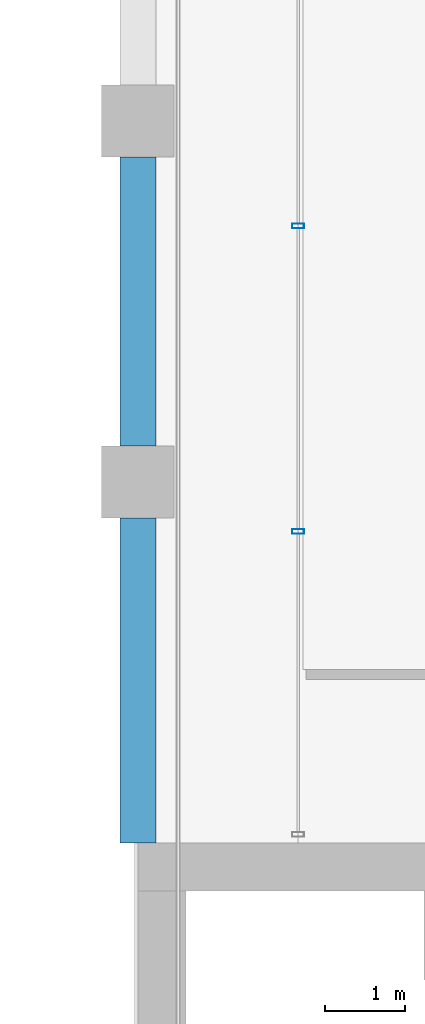
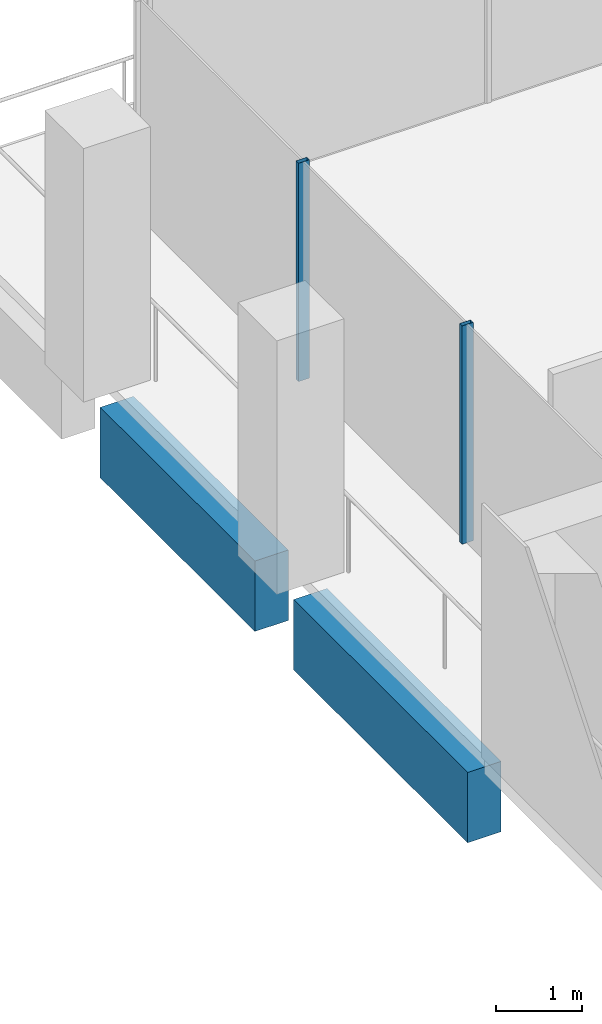
# One storey, part 20 of 40: 2 beams, 2 members, 1 element without a shape of its own.
"""IFC4 building model written with IfcOpenShell, lengths in metres."""

import ifcopenshell
import ifcopenshell.guid

model = None  # the IFC model being written
_history = None  # IfcOwnerHistory: only IFC2X3 demands one
_inside = {}  # id of a spatial element -> (the spatial element, [elements in it])
_under = {}  # id of a project, library or spatial element -> (it, [spatial elements below it])
_declared = {}  # id of a project -> (the project, [libraries it declares])
_typed = {}  # id of a type object -> (the type object, [elements of that type])
_made_of = {}  # id of a material, layer set ... -> (it, [elements and type objects made of it])


def new_model(schema):
    """Start an empty IFC model of exactly this schema.

    Asked for "IFC4X3", IfcOpenShell would pick the latest addendum, in which some entities
    have other attributes; the version numbers below select the first issue.
    IFC2X3 requires an IfcOwnerHistory on every rooted entity: one is made here for all.
    """
    global model, _history
    if schema == "IFC4X3":
        model = ifcopenshell.file(schema_version=(4, 3, 0, 0))
    else:
        model = ifcopenshell.file(schema=schema)
    _inside.clear()
    _under.clear()
    _declared.clear()
    _typed.clear()
    _made_of.clear()
    _history = None
    if model.schema == "IFC2X3":
        org = make("IfcOrganization", Name="unknown")
        user = make(
            "IfcPersonAndOrganization",
            ThePerson=make("IfcPerson", FamilyName="unknown"),
            TheOrganization=org,
        )
        app = make(
            "IfcApplication",
            ApplicationDeveloper=org,
            Version="unknown",
            ApplicationFullName="unknown",
            ApplicationIdentifier="unknown",
        )
        _history = make(
            "IfcOwnerHistory",
            OwningUser=user,
            OwningApplication=app,
            ChangeAction="ADDED",
            CreationDate=0,
        )
    return model


def make(cls, **values):
    """One entity of the class cls with the attributes given. An attribute that is None is left unset."""
    return model.create_entity(
        cls, **{name: value for name, value in values.items() if value is not None}
    )


def rooted(cls, **values):
    """An entity with a GlobalId (a new one), such as an element, a storey or a relation."""
    return make(cls, GlobalId=ifcopenshell.guid.new(), OwnerHistory=_history, **values)


def si_unit(unit_type, name, prefix=None):
    """IfcSIUnit, for example si_unit("LENGTHUNIT", "METRE", prefix="MILLI")."""
    return make("IfcSIUnit", UnitType=unit_type, Prefix=prefix, Name=name)


def assignment(units):
    """IfcUnitAssignment: the units of a project."""
    return None if units is None else make("IfcUnitAssignment", Units=units)


def point(xyz):
    """IfcCartesianPoint."""
    return None if xyz is None else make("IfcCartesianPoint", Coordinates=xyz)


def direction(xyz):
    """IfcDirection."""
    return None if xyz is None else make("IfcDirection", DirectionRatios=xyz)


def frame(location, z_axis=None, x_axis=None):
    """IfcAxis2Placement3D, a coordinate frame: its origin and axes. An axis left out is left unset."""
    return make(
        "IfcAxis2Placement3D",
        Location=point(location),
        Axis=direction(z_axis),
        RefDirection=direction(x_axis),
    )


def frame_2d(location, x_axis=None):
    """IfcAxis2Placement2D, a coordinate frame in the plane: its origin and x axis."""
    return make(
        "IfcAxis2Placement2D", Location=point(location), RefDirection=direction(x_axis)
    )


def origin():
    """The frame at (0, 0, 0) with its axes left unset."""
    return frame((0.0, 0.0, 0.0))


def origin_2d():
    """The frame at (0, 0) in the plane with its x axis left unset."""
    return frame_2d((0.0, 0.0))


def place(relative_to, where):
    """IfcLocalPlacement: puts the frame where relative to a parent placement (None: the world)."""
    return make(
        "IfcLocalPlacement", PlacementRelTo=relative_to, RelativePlacement=where
    )


def context(
    kind, dimensions, precision=None, world=None, true_north=None, identifier=None
):
    """IfcGeometricRepresentationContext, for example the 3D "Model" context."""
    return make(
        "IfcGeometricRepresentationContext",
        ContextIdentifier=identifier,
        ContextType=kind,
        CoordinateSpaceDimension=dimensions,
        Precision=precision,
        WorldCoordinateSystem=world,
        TrueNorth=true_north,
    )


def subcontext(parent, identifier, kind, view, scale=None):
    """IfcGeometricRepresentationSubContext, for example "Body" below "Model"."""
    return make(
        "IfcGeometricRepresentationSubContext",
        ContextIdentifier=identifier,
        ContextType=kind,
        ParentContext=parent,
        TargetScale=scale,
        TargetView=view,
    )


def project(units=None, contexts=None):
    """IfcProject with its units and contexts."""
    return rooted(
        "IfcProject",
        Name="project",
        RepresentationContexts=contexts,
        UnitsInContext=assignment(units),
    )


def spatial(cls, under=None, at=None, **own):
    """A site, building, storey or space (cls), placed at a placement, below another one or the project."""
    s = rooted(cls, ObjectPlacement=at, **own)
    if under is not None:
        _under.setdefault(under.id(), (under, []))[1].append(s)
    return s


def profile(cls, at=None, kind="AREA", **sizes):
    """A parametric profile (cls). Its sizes go by their IFC names, for example OverallWidth=200.0."""
    return make(cls, ProfileType=kind, Position=at, **sizes)


def rectangle(**sizes):
    """IfcRectangleProfileDef."""
    return profile("IfcRectangleProfileDef", **sizes)


def hollow_rectangle(**sizes):
    """IfcRectangleHollowProfileDef."""
    return profile("IfcRectangleHollowProfileDef", **sizes)


def extrude(swept, where, along, depth):
    """IfcExtrudedAreaSolid: the profile swept, set in the frame where, extruded along a direction by depth."""
    return make(
        "IfcExtrudedAreaSolid",
        SweptArea=swept,
        Position=where,
        ExtrudedDirection=direction(along),
        Depth=depth,
    )


def shape(context_of_items, identifier, shape_type, items):
    """IfcShapeRepresentation: the items that make up one representation, for example the "Body"."""
    return make(
        "IfcShapeRepresentation",
        ContextOfItems=context_of_items,
        RepresentationIdentifier=identifier,
        RepresentationType=shape_type,
        Items=items,
    )


def material(Name=None, Category=None):
    """IfcMaterial."""
    return make("IfcMaterial", Name=Name, Category=Category)


def material_profile(
    of_material, cross_section, Name=None, Category=None, Priority=None
):
    """IfcMaterialProfile: a cross section and its material."""
    return make(
        "IfcMaterialProfile",
        Name=Name,
        Material=of_material,
        Profile=cross_section,
        Priority=Priority,
        Category=Category,
    )


def profile_set(profiles, Name=None, composite=None):
    """IfcMaterialProfileSet."""
    return make(
        "IfcMaterialProfileSet",
        Name=Name,
        MaterialProfiles=profiles,
        CompositeProfile=composite,
    )


def made_of(thing, what):
    """Note that an element or type object is made of a material, layer set ...; save() writes the relation."""
    if what is not None:
        _made_of.setdefault(what.id(), (what, []))[1].append(thing)
    return thing


def type_object(cls, material=None, **own):
    """A type object (cls), such as IfcWallType, which elements share."""
    return made_of(rooted(cls, **own), material)


def element(
    cls,
    number,
    at=None,
    inside=None,
    cuts=None,
    type_object=None,
    material=None,
    context=None,
    identifier="Body",
    shape_type=None,
    held_by="IfcProductDefinitionShape",
    body=None,
    shapes=None,
    **own,
):
    """One element of the class cls, such as IfcWall. Its Tag is "e" and its number.

    at: its placement. inside: the storey or other place that contains it. cuts: it is an
    opening in that element (IfcRelVoidsElement). A single representation is given by context,
    identifier, shape_type and body (its items); several are given by shapes. held_by: the class
    of the entity that holds the representations. save() writes the other relations.
    """
    e = rooted(cls, Tag="e%d" % number, ObjectPlacement=at, **own)
    if body is not None:
        shapes = [shape(context, identifier, shape_type, body)]
    if shapes is not None:
        e.Representation = make(held_by, Representations=shapes)
    if inside is not None:
        _inside.setdefault(inside.id(), (inside, []))[1].append(e)
    if cuts is not None:
        rooted(
            "IfcRelVoidsElement", RelatingBuildingElement=cuts, RelatedOpeningElement=e
        )
    if type_object is not None:
        _typed.setdefault(type_object.id(), (type_object, []))[1].append(e)
    return made_of(e, material)


def aggregate(whole, parts):
    """IfcRelAggregates: a whole, such as a stair, and the parts it consists of."""
    return rooted("IfcRelAggregates", RelatingObject=whole, RelatedObjects=parts)


def save(model, path):
    """Write the relations noted so far, then the file.

    IfcRelAggregates (storeys below a building ...), IfcRelContainedInSpatialStructure (elements
    in a storey), IfcRelDefinesByType, IfcRelAssociatesMaterial and IfcRelDeclares: one each for
    every whole, place, type object, material and project.
    """
    for whole, parts in _under.values():
        aggregate(whole, parts)
    for where, things in _inside.values():
        rooted(
            "IfcRelContainedInSpatialStructure",
            RelatedElements=things,
            RelatingStructure=where,
        )
    for kind, things in _typed.values():
        rooted("IfcRelDefinesByType", RelatedObjects=things, RelatingType=kind)
    for what, things in _made_of.values():
        rooted("IfcRelAssociatesMaterial", RelatedObjects=things, RelatingMaterial=what)
    for by, libraries in _declared.values():
        rooted("IfcRelDeclares", RelatingContext=by, RelatedDefinitions=libraries)
    model.write(path)


model = new_model("IFC4")

# Units and contexts
model_context = context("Model", 3, precision=1e-05, world=origin(), true_north=direction((0.0, 1.0)))
body_context = subcontext(model_context, "Body", "Model", "MODEL_VIEW")
ifc_project = project(units=[si_unit("LENGTHUNIT", "METRE"), si_unit("AREAUNIT", "SQUARE_METRE"), si_unit("VOLUMEUNIT", "CUBIC_METRE"), si_unit("PLANEANGLEUNIT", "RADIAN"), si_unit("MASSUNIT", "GRAM", prefix="KILO")], contexts=[model_context])

# Site, building, storey
site_placement = place(None, origin())
site = spatial("IfcSite", under=ifc_project, at=site_placement, CompositionType="ELEMENT")
building_placement = place(site_placement, origin())
building = spatial("IfcBuilding", under=site, at=building_placement, Name="Altepetl Exchange Towers", CompositionType="ELEMENT")
storey_placement = place(building_placement, frame((0.0, 0.0, 172.60009765625)))
storey = spatial("IfcBuildingStorey", under=building, at=storey_placement, Name="L43", CompositionType="ELEMENT", Elevation=172.60009765625)

# Curtain wall, members
ifc_material_1 = material(Name="Aluminium 6063-T6 glazing", Category="aluminium")
curtain_wall_type = type_object("IfcCurtainWallType", Name="Loggia glazing system", PredefinedType="NOTDEFINED", material=ifc_material_1)
curtain_wall_placement = place(storey_placement, origin())
curtain_wall = element("IfcCurtainWall", 1, at=curtain_wall_placement, inside=storey, type_object=curtain_wall_type, Name="CW1 run", PredefinedType="NOTDEFINED")
ifc_material_2 = material(Name="Aluminium 6063-T6", Category="aluminium")
ifc_material_profile_1 = material_profile(ifc_material_2, hollow_rectangle(XDim=0.06005859375, YDim=0.14990234375, WallThickness=0.0029296875, at=origin_2d()), Name="Mullion 60x150 aluminium")
ifc_profile_set_1 = profile_set([ifc_material_profile_1], Name="Aluminium 6063-T6")
member_type = type_object("IfcMemberType", Name="Mullion 60x150 aluminium", PredefinedType="MULLION", material=ifc_profile_set_1)
member_1_placement = place(storey_placement, frame((42.5, 66.191650390625, 0.0), z_axis=(0.0, 0.0, 1.0), x_axis=(0.0, -1.0, 0.0)))
member_1 = element("IfcMember", 2, at=member_1_placement, type_object=member_type, Name="MU1 mullion", PredefinedType="MULLION", context=body_context, shape_type="SweptSolid", body=[
    extrude(hollow_rectangle(XDim=0.06005859375, YDim=0.14990234375, WallThickness=0.0029296875, at=origin_2d()), origin(), (0.0, 0.0, 1.0), 3.099853515625),
])
member_2_placement = place(storey_placement, frame((42.5, 62.38330078125, 0.0), z_axis=(0.0, 0.0, 1.0), x_axis=(0.0, -1.0, 0.0)))
member_2 = element("IfcMember", 3, at=member_2_placement, type_object=member_type, Name="MU1 mullion", PredefinedType="MULLION", context=body_context, shape_type="SweptSolid", body=[
    extrude(hollow_rectangle(XDim=0.06005859375, YDim=0.14990234375, WallThickness=0.0029296875, at=origin_2d()), origin(), (0.0, 0.0, 1.0), 3.099853515625),
])
aggregate(curtain_wall, [member_1, member_2])

# Beams
ifc_material_3 = material(Name="Concrete C50/60 precast with tezontle facing", Category="concrete")
ifc_material_profile_2 = material_profile(ifc_material_3, rectangle(XDim=0.449951171875, YDim=1.0, at=origin_2d()), Name="450 x 1000")
ifc_profile_set_2 = profile_set([ifc_material_profile_2], Name="Concrete C50/60 precast with tezontle facing")
beam_type = type_object("IfcBeamType", Name="Spandrel beam 450x1000 tezontle", PredefinedType="SPANDREL", material=ifc_profile_set_2)
beam_1_placement = place(storey_placement, frame((40.5, 67.050048828125, -0.650146484375), z_axis=(0.0, -1.0, 0.0), x_axis=(1.0, 0.0, 0.0)))
element("IfcBeam", 4, at=beam_1_placement, inside=storey, type_object=beam_type, Name="sp:A:L43:031", PredefinedType="SPANDREL", context=body_context, shape_type="SweptSolid", body=[
    extrude(rectangle(XDim=0.449951171875, YDim=1.0, at=origin_2d()), origin(), (0.0, 0.0, 1.0), 3.60009765625),
])
beam_2_placement = place(storey_placement, frame((40.5, 62.550048828125, -0.650146484375), z_axis=(0.0, -1.0, 0.0), x_axis=(1.0, 0.0, 0.0)))
element("IfcBeam", 5, at=beam_2_placement, inside=storey, type_object=beam_type, Name="sp:A:L43:032", PredefinedType="SPANDREL", context=body_context, shape_type="SweptSolid", body=[
    extrude(rectangle(XDim=0.449951171875, YDim=1.0, at=origin_2d()), origin(), (0.0, 0.0, 1.0), 4.050048828125),
])

save(model, "model.ifc")
